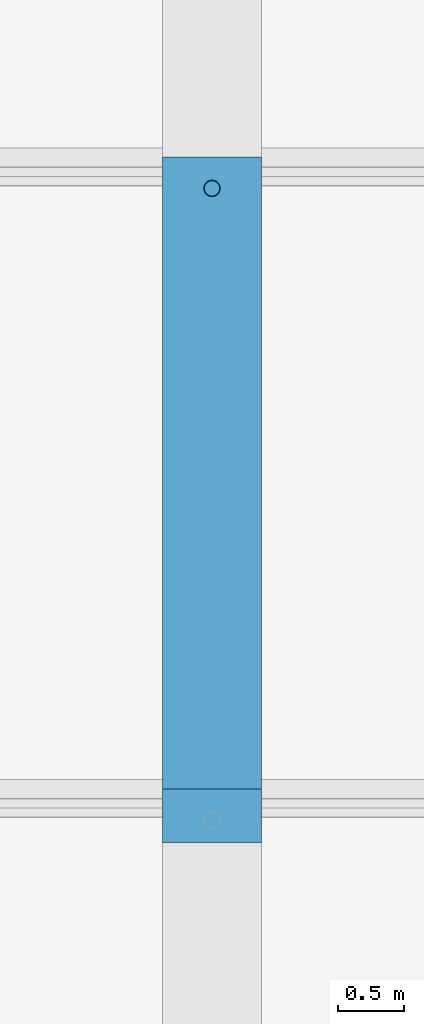
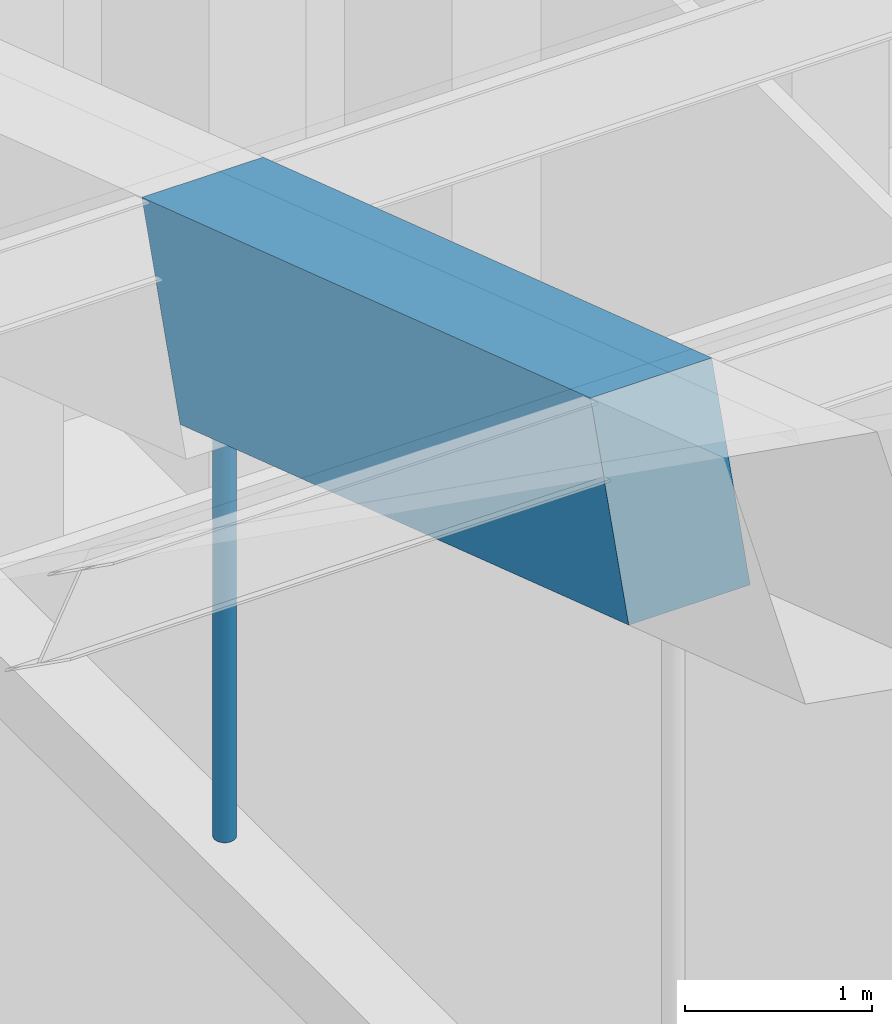
# One storey, part 68 of 149: 1 beam, 1 member.
"""IFC4 building model written with IfcOpenShell, lengths in metres."""

from ifc_helpers import new_model, si_unit, direction, frame, origin, origin_2d, place, context, subcontext, project, spatial, rectangle, hollow_circle, extrude, material, material_profile, profile_set, type_object, element, save


model = new_model("IFC4")

# Units and contexts
model_context = context("Model", 3, precision=1e-05, world=origin(), true_north=direction((0.0, 1.0)))
body_context = subcontext(model_context, "Body", "Model", "MODEL_VIEW")
ifc_project = project(units=[si_unit("LENGTHUNIT", "METRE"), si_unit("AREAUNIT", "SQUARE_METRE"), si_unit("VOLUMEUNIT", "CUBIC_METRE"), si_unit("PLANEANGLEUNIT", "RADIAN"), si_unit("MASSUNIT", "GRAM", prefix="KILO")], contexts=[model_context])

# Site, building, storey
site_placement = place(None, origin())
site = spatial("IfcSite", under=ifc_project, at=site_placement, CompositionType="ELEMENT")
building_placement = place(site_placement, origin())
building = spatial("IfcBuilding", under=site, at=building_placement, Name="Alderwick Market Hall", CompositionType="ELEMENT")
storey_placement = place(building_placement, frame((0.0, 0.0, 9.60009765625)))
storey = spatial("IfcBuildingStorey", under=building, at=storey_placement, Name="L01", CompositionType="ELEMENT", Elevation=9.60009765625)

# Beam
ifc_material_1 = material(Name="Concrete 5000 psi (f'c 35 MPa)", Category="concrete")
ifc_material_profile_1 = material_profile(ifc_material_1, rectangle(XDim=0.75, YDim=1.300048828125, at=origin_2d()), Name="RC 750x1300")
ifc_profile_set_1 = profile_set([ifc_material_profile_1], Name="Concrete 5000 psi (f'c 35 MPa)")
beam_type = type_object("IfcBeamType", Name="R Arch Rib Haunch 750x1300", PredefinedType="BEAM", material=ifc_profile_set_1)
beam_placement = place(storey_placement, frame((108.0, 93.631591796875, 11.494873046875), z_axis=(0.0, 0.948678472761, -0.316242241517), x_axis=(-1.0, 0.0, 0.0)))
element("IfcBeam", 1, at=beam_placement, inside=storey, type_object=beam_type, Name="Arch rib 5 chord 10", PredefinedType="BEAM", context=body_context, shape_type="SweptSolid", body=[
    extrude(rectangle(XDim=0.75, YDim=1.300048828125, at=origin_2d()), origin(), (0.0, 0.0, 1.0), 5.059814453125),
])

# Member
ifc_material_2 = material(Name="Steel ASTM A500 Grade C", Category="steel")
ifc_material_profile_2 = material_profile(ifc_material_2, hollow_circle(Radius=0.0634765625, WallThickness=0.005859375, at=origin_2d()), Name="HSS5.000x0.250")
ifc_profile_set_2 = profile_set([ifc_material_profile_2], Name="Steel ASTM A500 Grade C")
member_type = type_object("IfcMemberType", Name="R Hanger HSS5.000x0.250", PredefinedType="POST", material=ifc_profile_set_2)
member_placement = place(storey_placement, frame((108.0, 98.39990234375, 6.35302734375), z_axis=(0.0, 0.0, 1.0), x_axis=(1.0, 0.0, 0.0)))
element("IfcMember", 2, at=member_placement, inside=storey, type_object=member_type, Name="Arch hanger 5.10", PredefinedType="POST", context=body_context, shape_type="SweptSolid", body=[
    extrude(hollow_circle(Radius=0.0634765625, WallThickness=0.005859375, at=origin_2d()), origin(), (0.0, 0.0, 1.0), 2.63525390625),
])

save(model, "model.ifc")
